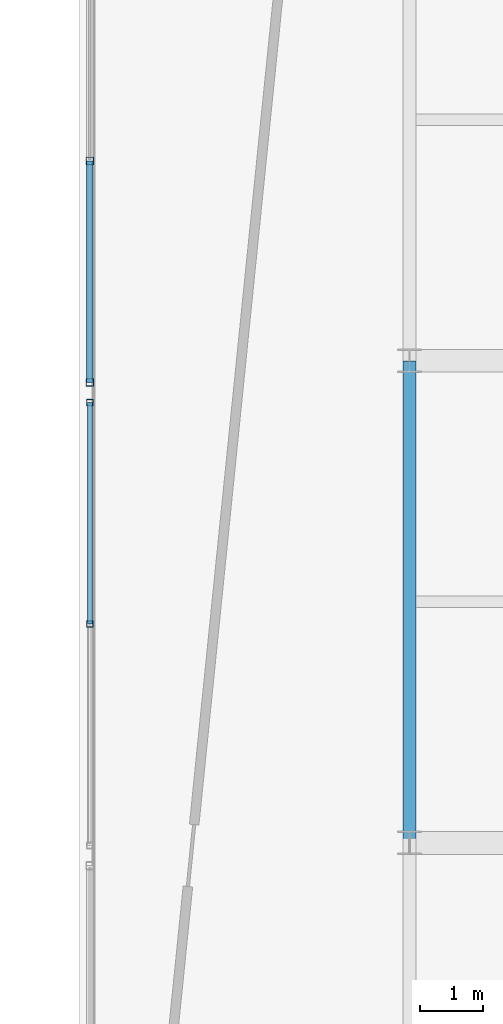
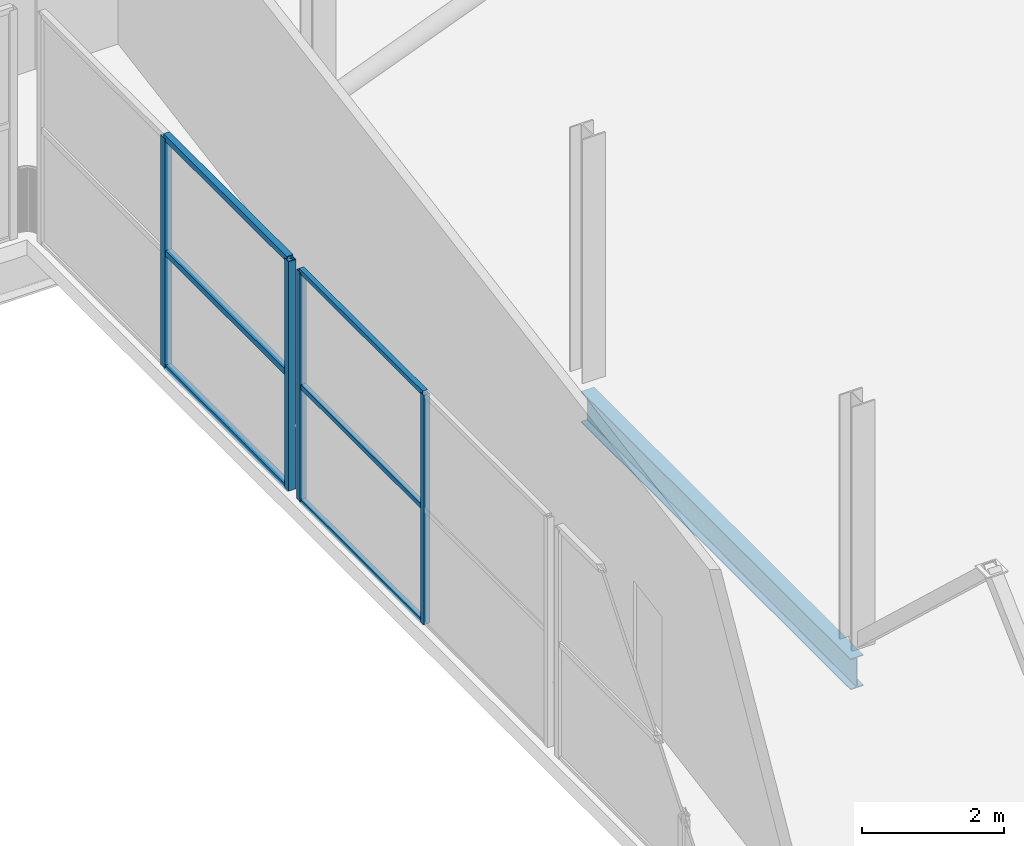
# One storey, part 153 of 217: 10 members, 1 beam, 2 elements without a shape of their own.
"""IFC4 building model written with IfcOpenShell, lengths in metres."""

from ifc_helpers import new_model, si_unit, direction, frame, origin, origin_2d, place, context, subcontext, project, spatial, hollow_rectangle, i_section, extrude, material, material_profile, profile_set, type_object, element, aggregate, save


model = new_model("IFC4")

# Units and contexts
model_context = context("Model", 3, precision=1e-05, world=origin(), true_north=direction((0.0, 1.0)))
body_context = subcontext(model_context, "Body", "Model", "MODEL_VIEW")
ifc_project = project(units=[si_unit("LENGTHUNIT", "METRE"), si_unit("AREAUNIT", "SQUARE_METRE"), si_unit("VOLUMEUNIT", "CUBIC_METRE"), si_unit("PLANEANGLEUNIT", "RADIAN"), si_unit("MASSUNIT", "GRAM", prefix="KILO")], contexts=[model_context])

# Site, building, storey
site_placement = place(None, origin())
site = spatial("IfcSite", under=ifc_project, at=site_placement, CompositionType="ELEMENT")
building_placement = place(site_placement, origin())
building = spatial("IfcBuilding", under=site, at=building_placement, Name="Zuvorla Pavilion Media Centre", CompositionType="ELEMENT")
storey_placement = place(building_placement, frame((0.0, 0.0, 9.60009765625)))
storey = spatial("IfcBuildingStorey", under=building, at=storey_placement, Name="L02", CompositionType="ELEMENT", Elevation=9.60009765625)

# Beam
ifc_material_1 = material(Name="Steel S355", Category="steel")
ifc_material_profile_1 = material_profile(ifc_material_1, i_section(OverallWidth=0.2099609375, OverallDepth=0.53662109375, WebThickness=0.0107421875, FlangeThickness=0.017333984375, FilletRadius=0.0126953125, at=origin_2d()), Name="UB 533x210x101")
ifc_profile_set_1 = profile_set([ifc_material_profile_1], Name="Steel S355")
beam_type = type_object("IfcBeamType", Name="BM-UB533", PredefinedType="BEAM", material=ifc_profile_set_1)
beam_placement = place(storey_placement, frame((159.199951171875, 66.800048828125, -0.536376953125), z_axis=(0.0, 1.0, 0.0), x_axis=(-1.0, 0.0, 0.0)))
element("IfcBeam", 1, at=beam_placement, inside=storey, type_object=beam_type, Name="L02 beam B08 974", PredefinedType="BEAM", context=body_context, shape_type="SweptSolid", body=[
    extrude(i_section(OverallWidth=0.2099609375, OverallDepth=0.53662109375, WebThickness=0.0107421875, FlangeThickness=0.017333984375, FilletRadius=0.0126953125, at=origin_2d()), origin(), (0.0, 0.0, 1.0), 7.599853515625),
])

# Curtain wall, members
ifc_material_2 = material(Name="Unitised anodised aluminium and solar glass curtain wall", Category="aluminium")
curtain_wall_type_1 = type_object("IfcCurtainWallType", Name="CW-SYS-57", PredefinedType="USERDEFINED", material=ifc_material_2)
curtain_wall_1_placement = place(storey_placement, origin())
curtain_wall_1 = element("IfcCurtainWall", 2, at=curtain_wall_1_placement, inside=storey, type_object=curtain_wall_type_1, Name="L02 curtain wall CW57 92", ObjectType="CURTAIN WALL", PredefinedType="USERDEFINED")
ifc_material_3 = material(Name="Anodised aluminium 6063-T6", Category="aluminium")
ifc_material_profile_2 = material_profile(ifc_material_3, hollow_rectangle(XDim=0.10009765625, YDim=0.10009765625, WallThickness=0.00439453125, at=origin_2d()), Name="ALU MULL 100x100")
ifc_profile_set_2 = profile_set([ifc_material_profile_2], Name="Anodised aluminium 6063-T6")
member_type_1 = type_object("IfcMemberType", Name="CW-MULL-100", PredefinedType="MULLION", material=ifc_profile_set_2)
member_1_placement = place(storey_placement, frame((154.159912109375, 70.25, 0.0), z_axis=(0.0, 0.0, 1.0), x_axis=(1.0, 0.0, 0.0)))
member_1 = element("IfcMember", 3, at=member_1_placement, type_object=member_type_1, Name="CW57 mullion 2", PredefinedType="MULLION", context=body_context, shape_type="SweptSolid", body=[
    extrude(hollow_rectangle(XDim=0.10009765625, YDim=0.10009765625, WallThickness=0.00439453125, at=origin_2d()), origin(), (0.0, 0.0, 1.0), 3.949951171875),
])
member_2_placement = place(storey_placement, frame((154.159912109375, 73.739990234375, 0.0), z_axis=(0.0, 0.0, 1.0), x_axis=(1.0, 0.0, 0.0)))
member_2 = element("IfcMember", 4, at=member_2_placement, type_object=member_type_1, Name="CW57 mullion 3", PredefinedType="MULLION", context=body_context, shape_type="SweptSolid", body=[
    extrude(hollow_rectangle(XDim=0.10009765625, YDim=0.10009765625, WallThickness=0.00439453125, at=origin_2d()), origin(), (0.0, 0.0, 1.0), 3.949951171875),
])

curtain_wall_type_2 = type_object("IfcCurtainWallType", Name="CW-SYS-24", PredefinedType="USERDEFINED", material=ifc_material_2)
curtain_wall_2_placement = place(storey_placement, origin())
curtain_wall_2 = element("IfcCurtainWall", 5, at=curtain_wall_2_placement, inside=storey, type_object=curtain_wall_type_2, Name="L02 curtain wall CW24 94", ObjectType="CURTAIN WALL", PredefinedType="USERDEFINED")
ifc_material_profile_3 = material_profile(ifc_material_3, hollow_rectangle(XDim=0.1201171875, YDim=0.1201171875, WallThickness=0.0048828125, at=origin_2d()), Name="ALU MULL 120x120")
ifc_profile_set_3 = profile_set([ifc_material_profile_3], Name="Anodised aluminium 6063-T6")
member_type_2 = type_object("IfcMemberType", Name="CW-MULL-120", PredefinedType="MULLION", material=ifc_profile_set_3)
member_3_placement = place(storey_placement, frame((154.159912109375, 74.06005859375, 0.0), z_axis=(0.0, 0.0, 1.0), x_axis=(1.0, 0.0, 0.0)))
member_3 = element("IfcMember", 6, at=member_3_placement, type_object=member_type_2, Name="CW24 mullion 1", PredefinedType="MULLION", context=body_context, shape_type="SweptSolid", body=[
    extrude(hollow_rectangle(XDim=0.1201171875, YDim=0.1201171875, WallThickness=0.0048828125, at=origin_2d()), origin(), (0.0, 0.0, 1.0), 3.949951171875),
])
member_4_placement = place(storey_placement, frame((154.159912109375, 77.550048828125, 0.0), z_axis=(0.0, 0.0, 1.0), x_axis=(1.0, 0.0, 0.0)))
member_4 = element("IfcMember", 7, at=member_4_placement, type_object=member_type_2, Name="CW24 mullion 2", PredefinedType="MULLION", context=body_context, shape_type="SweptSolid", body=[
    extrude(hollow_rectangle(XDim=0.1201171875, YDim=0.1201171875, WallThickness=0.0048828125, at=origin_2d()), origin(), (0.0, 0.0, 1.0), 3.949951171875),
])
ifc_material_profile_4 = material_profile(ifc_material_3, hollow_rectangle(XDim=0.10009765625, YDim=0.10009765625, WallThickness=0.00439453125, at=origin_2d()), Name="ALU TRAN 100x100")
ifc_profile_set_4 = profile_set([ifc_material_profile_4], Name="Anodised aluminium 6063-T6")
member_type_3 = type_object("IfcMemberType", Name="CW-TRAN-100", PredefinedType="USERDEFINED", material=ifc_profile_set_4)
member_5_placement = place(storey_placement, frame((154.159912109375, 74.06005859375, 0.0), z_axis=(0.0, 1.0, 0.0), x_axis=(-1.0, 0.0, 0.0)))
member_5 = element("IfcMember", 8, at=member_5_placement, type_object=member_type_3, Name="CW24 transom 1.1", ObjectType="TRANSOM", PredefinedType="USERDEFINED", context=body_context, shape_type="SweptSolid", body=[
    extrude(hollow_rectangle(XDim=0.10009765625, YDim=0.10009765625, WallThickness=0.00439453125, at=origin_2d()), origin(), (0.0, 0.0, 1.0), 3.489990234375),
])
member_6_placement = place(storey_placement, frame((154.159912109375, 74.06005859375, 1.974853515625), z_axis=(0.0, 1.0, 0.0), x_axis=(-1.0, 0.0, 0.0)))
member_6 = element("IfcMember", 9, at=member_6_placement, type_object=member_type_3, Name="CW24 transom 1.2", ObjectType="TRANSOM", PredefinedType="USERDEFINED", context=body_context, shape_type="SweptSolid", body=[
    extrude(hollow_rectangle(XDim=0.10009765625, YDim=0.10009765625, WallThickness=0.00439453125, at=origin_2d()), origin(), (0.0, 0.0, 1.0), 3.489990234375),
])
member_7_placement = place(storey_placement, frame((154.159912109375, 74.06005859375, 3.949951171875), z_axis=(0.0, 1.0, 0.0), x_axis=(-1.0, 0.0, 0.0)))
member_7 = element("IfcMember", 10, at=member_7_placement, type_object=member_type_3, Name="CW24 transom 1.3", ObjectType="TRANSOM", PredefinedType="USERDEFINED", context=body_context, shape_type="SweptSolid", body=[
    extrude(hollow_rectangle(XDim=0.10009765625, YDim=0.10009765625, WallThickness=0.00439453125, at=origin_2d()), origin(), (0.0, 0.0, 1.0), 3.489990234375),
])
aggregate(curtain_wall_2, [member_3, member_4, member_5, member_6, member_7])

# Member
ifc_material_profile_5 = material_profile(ifc_material_3, hollow_rectangle(XDim=0.080078125, YDim=0.080078125, WallThickness=0.00390625, at=origin_2d()), Name="ALU TRAN 80x80")
ifc_profile_set_5 = profile_set([ifc_material_profile_5], Name="Anodised aluminium 6063-T6")
member_type_4 = type_object("IfcMemberType", Name="CW-TRAN-80", PredefinedType="USERDEFINED", material=ifc_profile_set_5)
member_8_placement = place(storey_placement, frame((154.159912109375, 70.25, 0.0), z_axis=(0.0, 1.0, 0.0), x_axis=(-1.0, 0.0, 0.0)))
member_8 = element("IfcMember", 11, at=member_8_placement, type_object=member_type_4, Name="CW57 transom 2.1", ObjectType="TRANSOM", PredefinedType="USERDEFINED", context=body_context, shape_type="SweptSolid", body=[
    extrude(hollow_rectangle(XDim=0.080078125, YDim=0.080078125, WallThickness=0.00390625, at=origin_2d()), origin(), (0.0, 0.0, 1.0), 3.489990234375),
])

member_9_placement = place(storey_placement, frame((154.159912109375, 70.25, 1.974853515625), z_axis=(0.0, 1.0, 0.0), x_axis=(-1.0, 0.0, 0.0)))
member_9 = element("IfcMember", 12, at=member_9_placement, type_object=member_type_4, Name="CW57 transom 2.2", ObjectType="TRANSOM", PredefinedType="USERDEFINED", context=body_context, shape_type="SweptSolid", body=[
    extrude(hollow_rectangle(XDim=0.080078125, YDim=0.080078125, WallThickness=0.00390625, at=origin_2d()), origin(), (0.0, 0.0, 1.0), 3.489990234375),
])

member_10_placement = place(storey_placement, frame((154.159912109375, 70.25, 3.949951171875), z_axis=(0.0, 1.0, 0.0), x_axis=(-1.0, 0.0, 0.0)))
member_10 = element("IfcMember", 13, at=member_10_placement, type_object=member_type_4, Name="CW57 transom 2.3", ObjectType="TRANSOM", PredefinedType="USERDEFINED", context=body_context, shape_type="SweptSolid", body=[
    extrude(hollow_rectangle(XDim=0.080078125, YDim=0.080078125, WallThickness=0.00390625, at=origin_2d()), origin(), (0.0, 0.0, 1.0), 3.489990234375),
])

aggregate(curtain_wall_1, [member_1, member_2, member_8, member_9, member_10])

save(model, "model.ifc")
